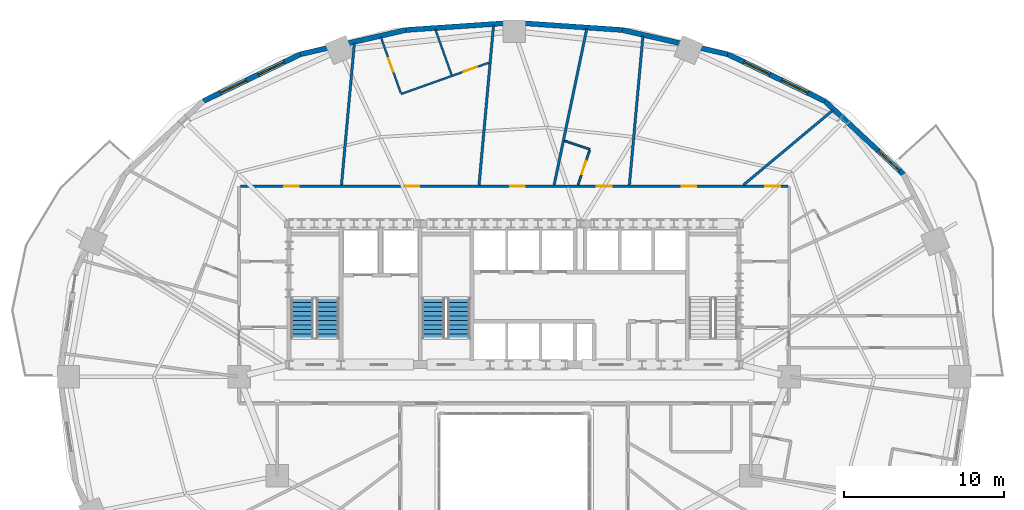
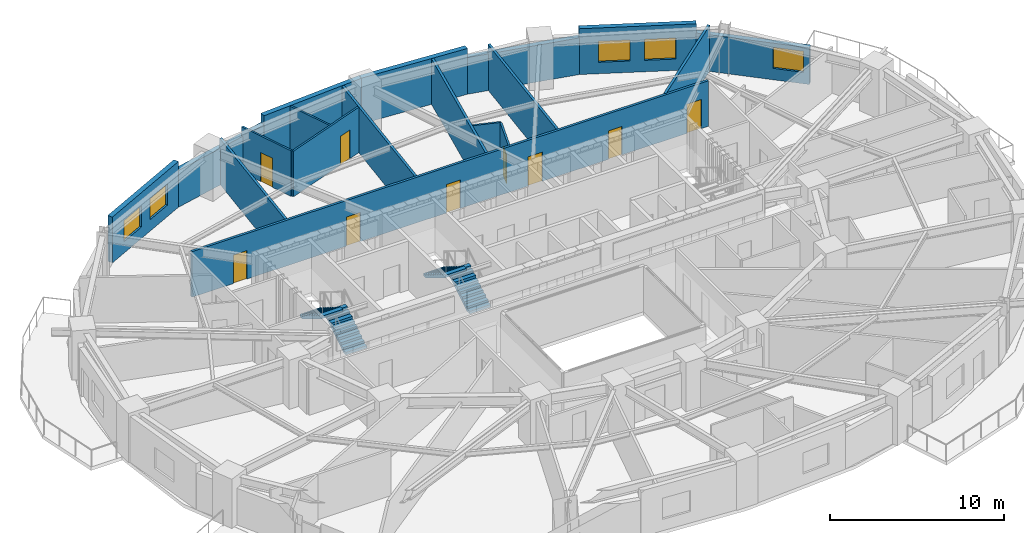
# One storey, part 11 of 16: 18 walls, 9 doors, 5 windows, 4 stair flights, 14 openings, 2 elements without a shape of their own.
"""IFC4 building model written with IfcOpenShell, lengths in metres."""

from ifc_helpers import new_model, si_unit, direction, frame, frame_2d, origin, place, context, subcontext, project, spatial, polyline, rectangle, outline, extrude, material, layer, layer_set, type_object, element, fill, aggregate, save


model = new_model("IFC4")

# Units and contexts
model_context = context("Model", 3, precision=1e-05, world=origin(), true_north=direction((0.0, 1.0)))
body_context = subcontext(model_context, "Body", "Model", "MODEL_VIEW")
ifc_project = project(units=[si_unit("LENGTHUNIT", "METRE"), si_unit("AREAUNIT", "SQUARE_METRE"), si_unit("VOLUMEUNIT", "CUBIC_METRE"), si_unit("PLANEANGLEUNIT", "RADIAN"), si_unit("MASSUNIT", "GRAM", prefix="KILO")], contexts=[model_context])

# Site, building, storey
site_placement = place(None, origin())
site = spatial("IfcSite", under=ifc_project, at=site_placement, CompositionType="ELEMENT")
building_placement = place(site_placement, origin())
building = spatial("IfcBuilding", under=site, at=building_placement, Name="Haldorwick Loom Tower", CompositionType="ELEMENT")
storey_placement = place(building_placement, frame((0.0, 0.0, 88.699951171875)))
storey = spatial("IfcBuildingStorey", under=building, at=storey_placement, Name="L23", CompositionType="ELEMENT", Elevation=88.699951171875)

# Wall, opening, window
ifc_material_1 = material(Name="Pressed Clay Face Brick and Insulated Masonry Backup Assembly", Category="masonry")
ifc_layer_1 = layer(ifc_material_1, 0.320068359375, Name="Pressed Clay Face Brick and Insulated Masonry Backup Assembly", Category="masonry")
ifc_layer_set_1 = layer_set([ifc_layer_1], Name="Pressed Clay Face Brick and Insulated Masonry Backup Assembly")
wall_type_1 = type_object("IfcWallType", Name="ARC-WL-EXT320", PredefinedType="STANDARD", material=ifc_layer_set_1)
wall_1_placement = place(storey_placement, frame((60.338623046875, 38.655517578125, 0.0), z_axis=(0.0, 0.0, 1.0), x_axis=(-0.732137360086, 0.681157020052, 0.0)))
wall_1 = element("IfcWall", 1, at=wall_1_placement, inside=storey, type_object=wall_type_1, Name="L23 Brick Pier and Spandrel Wall 3", PredefinedType="STANDARD", context=body_context, shape_type="SweptSolid", body=[
    extrude(rectangle(XDim=6.709228515625, YDim=0.320068359375, at=frame_2d((3.3544921875, 0.0))), origin(), (0.0, 0.0, 1.0), 2.569091796875),
])
opening_1_placement = place(wall_1_placement, frame((0.340087890625, 0.0, 0.800048828125)))
opening_1 = element("IfcOpeningElement", 2, at=opening_1_placement, cuts=wall_1, Name="Opening W-01", PredefinedType="OPENING", context=body_context, shape_type="SweptSolid", body=[
    extrude(rectangle(XDim=1.800048828125, YDim=1.47998046875, at=frame_2d((0.89990234375, 0.739990234375))), frame((0.0, 0.169921875, 0.0), z_axis=(0.0, -1.0, 0.0), x_axis=(1.0, 0.0, 0.0)), (0.0, 0.0, 1.0), 0.340087890625),
])
ifc_material_2 = material(Name="Triple-Glazed Low-E Argon Insulated Glazing Unit", Category="glass")
window_type = type_object("IfcWindowType", Name="ARC-WIN-W180", PartitioningType="SINGLE_PANEL", PredefinedType="WINDOW", material=ifc_material_2)
window_1_placement = place(opening_1_placement, origin())
window_1 = element("IfcWindow", 3, at=window_1_placement, inside=storey, type_object=window_type, Name="L23 Deep-Set Zone 7A Window 3", OverallHeight=1.47998046875, OverallWidth=1.800048828125, PartitioningType="SINGLE_PANEL", PredefinedType="WINDOW", context=body_context, shape_type="SweptSolid", body=[
    extrude(rectangle(XDim=1.800048828125, YDim=1.47998046875, at=frame_2d((0.89990234375, 0.739990234375))), frame((0.0, 0.030029296875, 0.0), z_axis=(0.0, -1.0, 0.0), x_axis=(1.0, 0.0, 0.0)), (0.0, 0.0, 1.0), 0.06005859375),
])
fill(opening_1, window_1)

# Wall, openings, windows
wall_2_placement = place(storey_placement, frame((55.426513671875, 43.2255859375, 0.0), z_axis=(0.0, 0.0, 1.0), x_axis=(-0.900510094661, 0.434835106004, 0.0)))
wall_2 = element("IfcWall", 4, at=wall_2_placement, inside=storey, type_object=wall_type_1, Name="L23 Brick Pier and Spandrel Wall 4", PredefinedType="STANDARD", context=body_context, shape_type="SweptSolid", body=[
    extrude(rectangle(XDim=6.744873046875, YDim=0.320068359375, at=frame_2d((3.37255859375, 0.0))), origin(), (0.0, 0.0, 1.0), 3.2099609375),
])
opening_2_placement = place(wall_2_placement, frame((1.180908203125, 0.0, 0.800048828125)))
opening_2 = element("IfcOpeningElement", 5, at=opening_2_placement, cuts=wall_2, Name="Opening W-01", PredefinedType="OPENING", context=body_context, shape_type="SweptSolid", body=[
    extrude(rectangle(XDim=1.800048828125, YDim=1.47998046875, at=frame_2d((0.89990234375, 0.739990234375))), frame((0.0, 0.169921875, 0.0), z_axis=(0.0, -1.0, 0.0), x_axis=(1.0, 0.0, 0.0)), (0.0, 0.0, 1.0), 0.340087890625),
])
opening_3_placement = place(wall_2_placement, frame((3.8212890625, 0.0, 0.800048828125)))
opening_3 = element("IfcOpeningElement", 6, at=opening_3_placement, cuts=wall_2, Name="Opening W-01", PredefinedType="OPENING", context=body_context, shape_type="SweptSolid", body=[
    extrude(rectangle(XDim=1.800048828125, YDim=1.47998046875, at=frame_2d((0.89990234375, 0.739990234375))), frame((0.0, 0.169921875, 0.0), z_axis=(0.0, -1.0, 0.0), x_axis=(1.0, 0.0, 0.0)), (0.0, 0.0, 1.0), 0.340087890625),
])
window_2_placement = place(opening_2_placement, origin())
window_2 = element("IfcWindow", 7, at=window_2_placement, inside=storey, type_object=window_type, Name="L23 Deep-Set Zone 7A Window 4", OverallHeight=1.47998046875, OverallWidth=1.800048828125, PartitioningType="SINGLE_PANEL", PredefinedType="WINDOW", context=body_context, shape_type="SweptSolid", body=[
    extrude(rectangle(XDim=1.800048828125, YDim=1.47998046875, at=frame_2d((0.89990234375, 0.739990234375))), frame((0.0, 0.030029296875, 0.0), z_axis=(0.0, -1.0, 0.0), x_axis=(1.0, 0.0, 0.0)), (0.0, 0.0, 1.0), 0.06005859375),
])
fill(opening_2, window_2)
window_3_placement = place(opening_3_placement, origin())
window_3 = element("IfcWindow", 8, at=window_3_placement, inside=storey, type_object=window_type, Name="L23 Deep-Set Zone 7A Window 4", OverallHeight=1.47998046875, OverallWidth=1.800048828125, PartitioningType="SINGLE_PANEL", PredefinedType="WINDOW", context=body_context, shape_type="SweptSolid", body=[
    extrude(rectangle(XDim=1.800048828125, YDim=1.47998046875, at=frame_2d((0.89990234375, 0.739990234375))), frame((0.0, 0.030029296875, 0.0), z_axis=(0.0, -1.0, 0.0), x_axis=(1.0, 0.0, 0.0)), (0.0, 0.0, 1.0), 0.06005859375),
])
fill(opening_3, window_3)

# Walls
wall_3_placement = place(storey_placement, frame((49.352783203125, 46.158447265625, 0.0), z_axis=(0.0, 0.0, 1.0), x_axis=(-0.974584177714, 0.224021607329, 0.0)))
element("IfcWall", 9, at=wall_3_placement, inside=storey, type_object=wall_type_1, Name="L23 Brick Pier and Spandrel Wall 5", PredefinedType="STANDARD", context=body_context, shape_type="SweptSolid", body=[
    extrude(rectangle(XDim=6.767822265625, YDim=0.320068359375, at=frame_2d((3.3837890625, 0.0))), origin(), (0.0, 0.0, 1.0), 2.569091796875),
])
for number, where, z_axis, x_axis, name in (
    (10, (42.757080078125, 47.674560546875, 0.0), (0.0, 0.0, 1.0), (-0.997651949344, 0.068487867318, 0.0), "L23 Brick Pier and Spandrel Wall 6"),
    (11, (36.0, 48.138427734375, 0.0), (0.0, 0.0, 1.0), (-0.997651949344, -0.068487867318, 0.0), "L23 Brick Pier and Spandrel Wall 7"),
):
    element("IfcWall", number, at=place(storey_placement, frame(where, z_axis=z_axis, x_axis=x_axis)), inside=storey, type_object=wall_type_1, Name=name, PredefinedType="STANDARD", context=body_context, shape_type="SweptSolid", body=[
        extrude(rectangle(XDim=6.77294921875, YDim=0.320068359375, at=frame_2d((3.386474609375, 0.0))), origin(), (0.0, 0.0, 1.0), 3.2099609375),
    ])
wall_4_placement = place(storey_placement, frame((29.242919921875, 47.674560546875, 0.0), z_axis=(0.0, 0.0, 1.0), x_axis=(-0.974584177714, -0.224021607329, 0.0)))
element("IfcWall", 12, at=wall_4_placement, inside=storey, type_object=wall_type_1, Name="L23 Brick Pier and Spandrel Wall 8", PredefinedType="STANDARD", context=body_context, shape_type="SweptSolid", body=[
    extrude(rectangle(XDim=6.767822265625, YDim=0.320068359375, at=frame_2d((3.3837890625, 0.0))), origin(), (0.0, 0.0, 1.0), 2.569091796875),
])

# Wall, openings, windows
wall_5_placement = place(storey_placement, frame((22.647216796875, 46.158447265625, 0.0), z_axis=(0.0, 0.0, 1.0), x_axis=(-0.900510094661, -0.434835106004, 0.0)))
wall_5 = element("IfcWall", 13, at=wall_5_placement, inside=storey, type_object=wall_type_1, Name="L23 Brick Pier and Spandrel Wall 9", PredefinedType="STANDARD", context=body_context, shape_type="SweptSolid", body=[
    extrude(rectangle(XDim=6.744873046875, YDim=0.320068359375, at=frame_2d((3.37255859375, 0.0))), origin(), (0.0, 0.0, 1.0), 3.2099609375),
])
opening_4_placement = place(wall_5_placement, frame((1.123291015625, 0.0, 0.800048828125)))
opening_4 = element("IfcOpeningElement", 14, at=opening_4_placement, cuts=wall_5, Name="Opening W-01", PredefinedType="OPENING", context=body_context, shape_type="SweptSolid", body=[
    extrude(rectangle(XDim=1.800048828125, YDim=1.47998046875, at=frame_2d((0.89990234375, 0.739990234375))), frame((0.0, 0.169921875, 0.0), z_axis=(0.0, -1.0, 0.0), x_axis=(1.0, 0.0, 0.0)), (0.0, 0.0, 1.0), 0.340087890625),
])
opening_5_placement = place(wall_5_placement, frame((3.763916015625, 0.0, 0.800048828125)))
opening_5 = element("IfcOpeningElement", 15, at=opening_5_placement, cuts=wall_5, Name="Opening W-01", PredefinedType="OPENING", context=body_context, shape_type="SweptSolid", body=[
    extrude(rectangle(XDim=1.800048828125, YDim=1.47998046875, at=frame_2d((0.89990234375, 0.739990234375))), frame((0.0, 0.169921875, 0.0), z_axis=(0.0, -1.0, 0.0), x_axis=(1.0, 0.0, 0.0)), (0.0, 0.0, 1.0), 0.340087890625),
])
window_4_placement = place(opening_4_placement, origin())
window_4 = element("IfcWindow", 16, at=window_4_placement, inside=storey, type_object=window_type, Name="L23 Deep-Set Zone 7A Window 9", OverallHeight=1.47998046875, OverallWidth=1.800048828125, PartitioningType="SINGLE_PANEL", PredefinedType="WINDOW", context=body_context, shape_type="SweptSolid", body=[
    extrude(rectangle(XDim=1.800048828125, YDim=1.47998046875, at=frame_2d((0.89990234375, 0.739990234375))), frame((0.0, 0.030029296875, 0.0), z_axis=(0.0, -1.0, 0.0), x_axis=(1.0, 0.0, 0.0)), (0.0, 0.0, 1.0), 0.06005859375),
])
fill(opening_4, window_4)
window_5_placement = place(opening_5_placement, origin())
window_5 = element("IfcWindow", 17, at=window_5_placement, inside=storey, type_object=window_type, Name="L23 Deep-Set Zone 7A Window 9", OverallHeight=1.47998046875, OverallWidth=1.800048828125, PartitioningType="SINGLE_PANEL", PredefinedType="WINDOW", context=body_context, shape_type="SweptSolid", body=[
    extrude(rectangle(XDim=1.800048828125, YDim=1.47998046875, at=frame_2d((0.89990234375, 0.739990234375))), frame((0.0, 0.030029296875, 0.0), z_axis=(0.0, -1.0, 0.0), x_axis=(1.0, 0.0, 0.0)), (0.0, 0.0, 1.0), 0.06005859375),
])
fill(opening_5, window_5)

# Wall, openings, doors
ifc_material_3 = material(Name="Fire-Rated Type X Gypsum Stud Assembly EI 60")
ifc_layer_2 = layer(ifc_material_3, 0.159912109375, Name="Fire-Rated Type X Gypsum Stud Assembly EI 60")
ifc_layer_set_2 = layer_set([ifc_layer_2], Name="Fire-Rated Type X Gypsum Stud Assembly EI 60")
wall_type_2 = type_object("IfcWallType", Name="ARC-WL-FIRE160", PredefinedType="PARTITIONING", material=ifc_layer_set_2)
wall_6_placement = place(storey_placement, frame((18.883056640625, 37.89990234375, 0.0), z_axis=(0.0, 0.0, 1.0), x_axis=(1.0, 0.0, 0.0)))
wall_6 = element("IfcWall", 18, at=wall_6_placement, inside=storey, type_object=wall_type_2, Name="L23 Residential Fire Partition L23-CR-N0", PredefinedType="PARTITIONING", context=body_context, shape_type="SweptSolid", body=[
    extrude(rectangle(XDim=34.23388671875, YDim=0.159912109375, at=frame_2d((17.116943359375, 0.0))), origin(), (0.0, 0.0, 1.0), 3.195068359375),
])
opening_6_placement = place(wall_6_placement, frame((10.23681640625, 0.0, 0.0)))
opening_6 = element("IfcOpeningElement", 19, at=opening_6_placement, cuts=wall_6, Name="Opening D-FL95", PredefinedType="OPENING", context=body_context, shape_type="SweptSolid", body=[
    extrude(rectangle(XDim=0.949951171875, YDim=2.0400390625, at=frame_2d((0.47509765625, 1.02001953125))), frame((0.0, 0.08984375, 0.0), z_axis=(0.0, -1.0, 0.0), x_axis=(1.0, 0.0, 0.0)), (0.0, 0.0, 1.0), 0.179931640625),
])
opening_7_placement = place(wall_6_placement, frame((27.599853515625, 0.0, 0.0)))
opening_7 = element("IfcOpeningElement", 20, at=opening_7_placement, cuts=wall_6, Name="Opening D-FD60A", PredefinedType="OPENING", context=body_context, shape_type="SweptSolid", body=[
    extrude(rectangle(XDim=0.89990234375, YDim=2.0, at=frame_2d((0.449951171875, 1.0))), frame((0.0, 0.08984375, 0.0), z_axis=(0.0, -1.0, 0.0), x_axis=(1.0, 0.0, 0.0)), (0.0, 0.0, 1.0), 0.179931640625),
])
opening_8_placement = place(wall_6_placement, frame((2.75244140625, 0.0, 0.0)))
opening_8 = element("IfcOpeningElement", 21, at=opening_8_placement, cuts=wall_6, Name="Opening D-FD60A", PredefinedType="OPENING", context=body_context, shape_type="SweptSolid", body=[
    extrude(rectangle(XDim=0.89990234375, YDim=2.0, at=frame_2d((0.449951171875, 1.0))), frame((0.0, 0.08984375, 0.0), z_axis=(0.0, -1.0, 0.0), x_axis=(1.0, 0.0, 0.0)), (0.0, 0.0, 1.0), 0.179931640625),
])
opening_9_placement = place(wall_6_placement, frame((16.887939453125, 0.0, 0.0)))
opening_9 = element("IfcOpeningElement", 22, at=opening_9_placement, cuts=wall_6, Name="Opening D-FD60A", PredefinedType="OPENING", context=body_context, shape_type="SweptSolid", body=[
    extrude(rectangle(XDim=0.89990234375, YDim=2.0, at=frame_2d((0.449951171875, 1.0))), frame((0.0, 0.08984375, 0.0), z_axis=(0.0, -1.0, 0.0), x_axis=(1.0, 0.0, 0.0)), (0.0, 0.0, 1.0), 0.179931640625),
])
opening_10_placement = place(wall_6_placement, frame((22.27392578125, 0.0, 0.0)))
opening_10 = element("IfcOpeningElement", 23, at=opening_10_placement, cuts=wall_6, Name="Opening D-FL95", PredefinedType="OPENING", context=body_context, shape_type="SweptSolid", body=[
    extrude(rectangle(XDim=0.949951171875, YDim=2.0400390625, at=frame_2d((0.47509765625, 1.02001953125))), frame((0.0, 0.08984375, 0.0), z_axis=(0.0, -1.0, 0.0), x_axis=(1.0, 0.0, 0.0)), (0.0, 0.0, 1.0), 0.179931640625),
])
opening_11_placement = place(wall_6_placement, frame((32.822021484375, 0.0, 0.0)))
opening_11 = element("IfcOpeningElement", 24, at=opening_11_placement, cuts=wall_6, Name="Opening D-FL95", PredefinedType="OPENING", context=body_context, shape_type="SweptSolid", body=[
    extrude(rectangle(XDim=0.949951171875, YDim=2.0400390625, at=frame_2d((0.47509765625, 1.02001953125))), frame((0.0, 0.08984375, 0.0), z_axis=(0.0, -1.0, 0.0), x_axis=(1.0, 0.0, 0.0)), (0.0, 0.0, 1.0), 0.179931640625),
])
ifc_material_4 = material(Name="Hollow Steel Fire Door Assembly", Category="steel")
door_type_1 = type_object("IfcDoorType", Name="ARC-DR-FD60-90", OperationType="NOTDEFINED", PredefinedType="DOOR", material=ifc_material_4)
door_1_placement = place(opening_7_placement, frame((0.89990234375, 0.0, 0.0), z_axis=(0.0, 0.0, 1.0), x_axis=(-1.0, 0.0, 0.0)))
door_1 = element("IfcDoor", 25, at=door_1_placement, inside=storey, type_object=door_type_1, Name="L23 Shared Resident Dining Hall 14 to L23 North Residential Corridor Doo", OperationType="SINGLE_SWING_RIGHT", OverallHeight=2.0, OverallWidth=0.89990234375, PredefinedType="DOOR", context=body_context, shape_type="SweptSolid", body=[
    extrude(rectangle(XDim=0.89990234375, YDim=2.0, at=frame_2d((0.449951171875, 1.0))), frame((0.0, 0.02490234375, 0.0), z_axis=(0.0, -1.0, 0.0), x_axis=(1.0, 0.0, 0.0)), (0.0, 0.0, 1.0), 0.050048828125),
])
fill(opening_7, door_1)
door_2_placement = place(opening_8_placement, frame((0.89990234375, 0.0, 0.0), z_axis=(0.0, 0.0, 1.0), x_axis=(-1.0, 0.0, 0.0)))
door_2 = element("IfcDoor", 26, at=door_2_placement, inside=storey, type_object=door_type_1, Name="L23 Shared Resident Dining Hall 3 to L23 North Residential Corridor Door", OperationType="SINGLE_SWING_LEFT", OverallHeight=2.0, OverallWidth=0.89990234375, PredefinedType="DOOR", context=body_context, shape_type="SweptSolid", body=[
    extrude(rectangle(XDim=0.89990234375, YDim=2.0, at=frame_2d((0.449951171875, 1.0))), frame((0.0, 0.02490234375, 0.0), z_axis=(0.0, -1.0, 0.0), x_axis=(1.0, 0.0, 0.0)), (0.0, 0.0, 1.0), 0.050048828125),
])
fill(opening_8, door_2)
door_3_placement = place(opening_9_placement, frame((0.89990234375, 0.0, 0.0), z_axis=(0.0, 0.0, 1.0), x_axis=(-1.0, 0.0, 0.0)))
door_3 = element("IfcDoor", 27, at=door_3_placement, inside=storey, type_object=door_type_1, Name="L23 Shared Resident Dining Hall 7 to L23 North Residential Corridor Door", OperationType="SINGLE_SWING_LEFT", OverallHeight=2.0, OverallWidth=0.89990234375, PredefinedType="DOOR", context=body_context, shape_type="SweptSolid", body=[
    extrude(rectangle(XDim=0.89990234375, YDim=2.0, at=frame_2d((0.449951171875, 1.0))), frame((0.0, 0.02490234375, 0.0), z_axis=(0.0, -1.0, 0.0), x_axis=(1.0, 0.0, 0.0)), (0.0, 0.0, 1.0), 0.050048828125),
])
fill(opening_9, door_3)
ifc_material_5 = material(Name="Solid Core Birch Architectural Door")
door_type_2 = type_object("IfcDoorType", Name="ARC-DR-FLAT95", OperationType="NOTDEFINED", PredefinedType="DOOR", material=ifc_material_5)
door_4_placement = place(opening_6_placement, frame((0.949951171875, 0.0, 0.0), z_axis=(0.0, 0.0, 1.0), x_axis=(-1.0, 0.0, 0.0)))
door_4 = element("IfcDoor", 28, at=door_4_placement, inside=storey, type_object=door_type_2, Name="L23 Unit 23E Kitchen and Living Room to L23 North Residential Corridor D", OperationType="SINGLE_SWING_LEFT", OverallHeight=2.0400390625, OverallWidth=0.949951171875, PredefinedType="DOOR", context=body_context, shape_type="SweptSolid", body=[
    extrude(rectangle(XDim=0.949951171875, YDim=2.0400390625, at=frame_2d((0.47509765625, 1.02001953125))), frame((0.0, 0.02490234375, 0.0), z_axis=(0.0, -1.0, 0.0), x_axis=(1.0, 0.0, 0.0)), (0.0, 0.0, 1.0), 0.050048828125),
])
fill(opening_6, door_4)
door_5_placement = place(opening_10_placement, frame((0.949951171875, 0.0, 0.0), z_axis=(0.0, 0.0, 1.0), x_axis=(-1.0, 0.0, 0.0)))
door_5 = element("IfcDoor", 29, at=door_5_placement, inside=storey, type_object=door_type_2, Name="L23 Unit 23F Kitchen and Studio Living Room to L23 North Residential Cor", OperationType="SINGLE_SWING_LEFT", OverallHeight=2.0400390625, OverallWidth=0.949951171875, PredefinedType="DOOR", context=body_context, shape_type="SweptSolid", body=[
    extrude(rectangle(XDim=0.949951171875, YDim=2.0400390625, at=frame_2d((0.47509765625, 1.02001953125))), frame((0.0, 0.02490234375, 0.0), z_axis=(0.0, -1.0, 0.0), x_axis=(1.0, 0.0, 0.0)), (0.0, 0.0, 1.0), 0.050048828125),
])
fill(opening_10, door_5)
door_6_placement = place(opening_11_placement, frame((0.949951171875, 0.0, 0.0), z_axis=(0.0, 0.0, 1.0), x_axis=(-1.0, 0.0, 0.0)))
door_6 = element("IfcDoor", 30, at=door_6_placement, inside=storey, type_object=door_type_2, Name="L23 Unit 23M Kitchen and Studio Living Room to L23 North Residential Cor", OperationType="SINGLE_SWING_LEFT", OverallHeight=2.0400390625, OverallWidth=0.949951171875, PredefinedType="DOOR", context=body_context, shape_type="SweptSolid", body=[
    extrude(rectangle(XDim=0.949951171875, YDim=2.0400390625, at=frame_2d((0.47509765625, 1.02001953125))), frame((0.0, 0.02490234375, 0.0), z_axis=(0.0, -1.0, 0.0), x_axis=(1.0, 0.0, 0.0)), (0.0, 0.0, 1.0), 0.050048828125),
])
fill(opening_11, door_6)

# Walls
wall_7_placement = place(storey_placement, frame((25.20751953125, 37.98291015625, 0.0), z_axis=(0.0, 0.0, 1.0), x_axis=(0.090491322793, 0.995897243946, 0.0)))
element("IfcWall", 31, at=wall_7_placement, inside=storey, type_object=wall_type_2, Name="L23 Residential Fire Partition L23-UPN-13", PredefinedType="PARTITIONING", context=body_context, shape_type="SweptSolid", body=[
    extrude(rectangle(XDim=8.91943359375, YDim=0.159912109375, at=frame_2d((4.459716796875, 0.0))), origin(), (0.0, 0.0, 1.0), 3.195068359375),
])
wall_8_placement = place(storey_placement, frame((33.8076171875, 37.98291015625, 0.0), z_axis=(0.0, 0.0, 1.0), x_axis=(0.090476568416, 0.995898584479, 0.0)))
element("IfcWall", 32, at=wall_8_placement, inside=storey, type_object=wall_type_2, Name="L23 Residential Fire Partition L23-UPN-14", PredefinedType="PARTITIONING", context=body_context, shape_type="SweptSolid", body=[
    extrude(rectangle(XDim=10.04345703125, YDim=0.159912109375, at=frame_2d((5.021728515625, 0.0))), origin(), (0.0, 0.0, 1.0), 3.195068359375),
])
wall_9_placement = place(storey_placement, frame((43.20751953125, 37.98291015625, 0.0), z_axis=(0.0, 0.0, 1.0), x_axis=(0.090486385292, 0.995897692575, 0.0)))
element("IfcWall", 33, at=wall_9_placement, inside=storey, type_object=wall_type_2, Name="L23 Residential Fire Partition L23-UPN-15", PredefinedType="PARTITIONING", context=body_context, shape_type="SweptSolid", body=[
    extrude(rectangle(XDim=9.364990234375, YDim=0.159912109375, at=frame_2d((4.6826171875, 0.0))), origin(), (0.0, 0.0, 1.0), 3.195068359375),
])
wall_10_placement = place(storey_placement, frame((38.503173828125, 37.98291015625, 0.0), z_axis=(0.0, 0.0, 1.0), x_axis=(0.204489055978, 0.978868850248, 0.0)))
element("IfcWall", 34, at=wall_10_placement, inside=storey, type_object=wall_type_2, Name="L23 Suite Split Wall", PredefinedType="PARTITIONING", context=body_context, shape_type="SweptSolid", body=[
    extrude(rectangle(XDim=9.989501953125, YDim=0.159912109375, at=frame_2d((4.99462890625, 0.0))), origin(), (0.0, 0.0, 1.0), 3.195068359375),
])
wall_11_placement = place(storey_placement, frame((50.3369140625, 37.98291015625, 0.0), z_axis=(0.0, 0.0, 1.0), x_axis=(0.767277099494, 0.641315719901, 0.0)))
element("IfcWall", 35, at=wall_11_placement, inside=storey, type_object=wall_type_2, Name="L23 Suite Split Wall", PredefinedType="PARTITIONING", context=body_context, shape_type="SweptSolid", body=[
    extrude(rectangle(XDim=7.29736328125, YDim=0.159912109375, at=frame_2d((3.648681640625, 0.0))), origin(), (0.0, 0.0, 1.0), 3.195068359375),
])

# Wall, opening, door
ifc_material_6 = material(Name="Acoustic Gypsum Stud Assembly STC 55")
ifc_layer_3 = layer(ifc_material_6, 0.1201171875, Name="Acoustic Gypsum Stud Assembly STC 55")
ifc_layer_set_3 = layer_set([ifc_layer_3], Name="Acoustic Gypsum Stud Assembly STC 55")
wall_type_3 = type_object("IfcWallType", Name="ARC-WL-PART120", PredefinedType="PARTITIONING", material=ifc_layer_set_3)
wall_12_placement = place(storey_placement, frame((34.418701171875, 45.626708984375, 0.0), z_axis=(0.0, 0.0, 1.0), x_axis=(-0.941850077661, -0.336033378118, 0.0)))
wall_12 = element("IfcWall", 36, at=wall_12_placement, inside=storey, type_object=wall_type_3, Name="L23 Unit 23E Interior Partition", PredefinedType="PARTITIONING", context=body_context, shape_type="SweptSolid", body=[
    extrude(rectangle(XDim=5.81884765625, YDim=0.1201171875, at=frame_2d((2.909423828125, 0.0))), origin(), (0.0, 0.0, 1.0), 3.195068359375),
])
opening_12_placement = place(wall_12_placement, frame((0.791015625, 0.0, 0.0)))
opening_12 = element("IfcOpeningElement", 37, at=opening_12_placement, cuts=wall_12, Name="Opening D-BT88", PredefinedType="OPENING", context=body_context, shape_type="SweptSolid", body=[
    extrude(rectangle(XDim=0.8798828125, YDim=2.02001953125, at=frame_2d((0.43994140625, 1.010009765625))), frame((0.0, 0.070068359375, 0.0), z_axis=(0.0, -1.0, 0.0), x_axis=(1.0, 0.0, 0.0)), (0.0, 0.0, 1.0), 0.14013671875),
])
door_type_3 = type_object("IfcDoorType", Name="ARC-DR-BATH88", OperationType="NOTDEFINED", PredefinedType="DOOR", material=ifc_material_5)
door_7_placement = place(opening_12_placement, origin())
door_7 = element("IfcDoor", 38, at=door_7_placement, inside=storey, type_object=door_type_3, Name="L23 Unit 23E Kitchen and Living Room to Unit 23E Bathroom Door", OperationType="SINGLE_SWING_RIGHT", OverallHeight=2.02001953125, OverallWidth=0.8798828125, PredefinedType="DOOR", context=body_context, shape_type="SweptSolid", body=[
    extrude(rectangle(XDim=0.8798828125, YDim=2.02001953125, at=frame_2d((0.43994140625, 1.010009765625))), frame((0.0, 0.02490234375, 0.0), z_axis=(0.0, -1.0, 0.0), x_axis=(1.0, 0.0, 0.0)), (0.0, 0.0, 1.0), 0.050048828125),
])
fill(opening_12, door_7)

wall_13_placement = place(storey_placement, frame((28.9169921875, 43.730712890625, 0.0), z_axis=(0.0, 0.0, 1.0), x_axis=(-0.336004763766, 0.941860286203, 0.0)))
wall_13 = element("IfcWall", 39, at=wall_13_placement, inside=storey, type_object=wall_type_3, Name="L23 Unit 23E Interior Partition", PredefinedType="PARTITIONING", context=body_context, shape_type="SweptSolid", body=[
    extrude(rectangle(XDim=3.731201171875, YDim=0.1201171875, at=frame_2d((1.86572265625, 0.0))), origin(), (0.0, 0.0, 1.0), 3.195068359375),
])
opening_13_placement = place(wall_13_placement, frame((1.41552734375, 0.0, 0.0)))
opening_13 = element("IfcOpeningElement", 40, at=opening_13_placement, cuts=wall_13, Name="Opening D-IN90", PredefinedType="OPENING", context=body_context, shape_type="SweptSolid", body=[
    extrude(rectangle(XDim=0.89990234375, YDim=2.0400390625, at=frame_2d((0.449951171875, 1.02001953125))), frame((0.0, 0.070068359375, 0.0), z_axis=(0.0, -1.0, 0.0), x_axis=(1.0, 0.0, 0.0)), (0.0, 0.0, 1.0), 0.14013671875),
])
door_type_4 = type_object("IfcDoorType", Name="ARC-DR-INT90", OperationType="NOTDEFINED", PredefinedType="DOOR", material=ifc_material_5)
door_8_placement = place(opening_13_placement, origin())
door_8 = element("IfcDoor", 41, at=door_8_placement, inside=storey, type_object=door_type_4, Name="L23 Unit 23E Kitchen and Living Room to Unit 23E Bedroom 1 Door", OperationType="SINGLE_SWING_LEFT", OverallHeight=2.0400390625, OverallWidth=0.89990234375, PredefinedType="DOOR", context=body_context, shape_type="SweptSolid", body=[
    extrude(rectangle(XDim=0.89990234375, YDim=2.0400390625, at=frame_2d((0.449951171875, 1.02001953125))), frame((0.0, 0.02490234375, 0.0), z_axis=(0.0, -1.0, 0.0), x_axis=(1.0, 0.0, 0.0)), (0.0, 0.0, 1.0), 0.050048828125),
])
fill(opening_13, door_8)

# Walls
wall_14_placement = place(storey_placement, frame((32.09130859375, 44.86328125, 0.0), z_axis=(0.0, 0.0, 1.0), x_axis=(-0.336026919077, 0.941852382094, 0.0)))
element("IfcWall", 42, at=wall_14_placement, inside=storey, type_object=wall_type_3, Name="L23 Unit 23E Interior Partition", PredefinedType="PARTITIONING", context=body_context, shape_type="SweptSolid", body=[
    extrude(rectangle(XDim=3.048583984375, YDim=0.1201171875, at=frame_2d((1.5244140625, 0.0))), origin(), (0.0, 0.0, 1.0), 3.195068359375),
])
wall_15_placement = place(storey_placement, frame((40.740234375, 40.21533203125, 0.0), z_axis=(0.0, 0.0, 1.0), x_axis=(-0.948403770047, 0.317065117856, 0.0)))
element("IfcWall", 43, at=wall_15_placement, inside=storey, type_object=wall_type_3, Name="L23 Unit 23F Interior Partition", PredefinedType="PARTITIONING", context=body_context, shape_type="SweptSolid", body=[
    extrude(rectangle(XDim=1.66162109375, YDim=0.1201171875, at=frame_2d((0.830810546875, 0.0))), origin(), (0.0, 0.0, 1.0), 3.195068359375),
])

# Wall, opening, door
wall_16_placement = place(storey_placement, frame((39.994140625, 37.98291015625, 0.0), z_axis=(0.0, 0.0, 1.0), x_axis=(0.316963059411, 0.948437883558, 0.0)))
wall_16 = element("IfcWall", 44, at=wall_16_placement, inside=storey, type_object=wall_type_3, Name="L23 Unit 23F Interior Partition", PredefinedType="PARTITIONING", context=body_context, shape_type="SweptSolid", body=[
    extrude(rectangle(XDim=2.290771484375, YDim=0.1201171875, at=frame_2d((1.1455078125, 0.0))), origin(), (0.0, 0.0, 1.0), 3.195068359375),
])
opening_14_placement = place(wall_16_placement, frame((0.705322265625, 0.0, 0.0)))
opening_14 = element("IfcOpeningElement", 45, at=opening_14_placement, cuts=wall_16, Name="Opening D-BT88", PredefinedType="OPENING", context=body_context, shape_type="SweptSolid", body=[
    extrude(rectangle(XDim=0.8798828125, YDim=2.02001953125, at=frame_2d((0.43994140625, 1.010009765625))), frame((0.0, 0.070068359375, 0.0), z_axis=(0.0, -1.0, 0.0), x_axis=(1.0, 0.0, 0.0)), (0.0, 0.0, 1.0), 0.14013671875),
])
door_9_placement = place(opening_14_placement, origin())
door_9 = element("IfcDoor", 46, at=door_9_placement, inside=storey, type_object=door_type_3, Name="L23 Unit 23F Bathroom to Unit 23F Kitchen and Studio Living Room Door", OperationType="SINGLE_SWING_LEFT", OverallHeight=2.02001953125, OverallWidth=0.8798828125, PredefinedType="DOOR", context=body_context, shape_type="SweptSolid", body=[
    extrude(rectangle(XDim=0.8798828125, YDim=2.02001953125, at=frame_2d((0.43994140625, 1.010009765625))), frame((0.0, 0.02490234375, 0.0), z_axis=(0.0, -1.0, 0.0), x_axis=(1.0, 0.0, 0.0)), (0.0, 0.0, 1.0), 0.050048828125),
])
fill(opening_14, door_9)

# Stair, stair flights
ifc_material_7 = material(Name="Concrete C40 (40 MPa)", Category="concrete")
stair_type = type_object("IfcStairType", Name="STR-STR-CORE", PredefinedType="HALF_TURN_STAIR", material=ifc_material_7)
stair_1_placement = place(storey_placement, origin())
stair_1 = element("IfcStair", 47, at=stair_1_placement, inside=storey, type_object=stair_type, Name="L23 Exit Stair ST-01", PredefinedType="HALF_TURN_STAIR")
stair_flight_type = type_object("IfcStairFlightType", Name="STR-STF-1250", PredefinedType="STRAIGHT", material=ifc_material_7)
stair_flight_1_placement = place(storey_placement, frame((24.35009765625, 28.39990234375, 0.0), z_axis=(0.0, 0.0, 1.0), x_axis=(0.0, 1.0, 0.0)))
stair_flight_1 = element("IfcStairFlight", 48, at=stair_flight_1_placement, type_object=stair_flight_type, Name="ST-01 flight 1", NumberOfRisers=10, NumberOfTreads=9, PredefinedType="STRAIGHT", RiserHeight=0.1725, TreadLength=0.28, context=body_context, shape_type="SweptSolid", body=[
    extrude(outline(polyline([(0.0, 0.0), (0.0, 0.172607421875), (0.280029296875, 0.172607421875), (0.280029296875, 0.344970703125), (0.56005859375, 0.344970703125), (0.56005859375, 0.517578125), (0.840087890625, 0.517578125), (0.840087890625, 0.68994140625), (1.1201171875, 0.68994140625), (1.1201171875, 0.862548828125), (1.39990234375, 0.862548828125), (1.39990234375, 1.034912109375), (1.679931640625, 1.034912109375), (1.679931640625, 1.20751953125), (1.9599609375, 1.20751953125), (1.9599609375, 1.3798828125), (2.239990234375, 1.3798828125), (2.239990234375, 1.552490234375), (2.52001953125, 1.552490234375), (2.52001953125, 1.72509765625), (2.52001953125, 1.37646484375), (0.285888671875, 0.0), (0.0, 0.0)])), frame((0.0, 0.699951171875, 0.0), z_axis=(0.0, -1.0, 0.0), x_axis=(1.0, 0.0, 0.0)), (0.0, 0.0, 1.0), 1.39990234375),
])
stair_flight_2_placement = place(storey_placement, frame((22.75, 30.919921875, 1.72509765625), z_axis=(0.0, 0.0, 1.0), x_axis=(0.0, -1.0, 0.0)))
stair_flight_2 = element("IfcStairFlight", 49, at=stair_flight_2_placement, type_object=stair_flight_type, Name="ST-01 flight 2", NumberOfRisers=10, NumberOfTreads=9, PredefinedType="STRAIGHT", RiserHeight=0.1725, TreadLength=0.28, context=body_context, shape_type="SweptSolid", body=[
    extrude(outline(polyline([(0.0, 0.0), (0.0, 0.172607421875), (0.280029296875, 0.172607421875), (0.280029296875, 0.344970703125), (0.56005859375, 0.344970703125), (0.56005859375, 0.517578125), (0.840087890625, 0.517578125), (0.840087890625, 0.68994140625), (1.1201171875, 0.68994140625), (1.1201171875, 0.862548828125), (1.39990234375, 0.862548828125), (1.39990234375, 1.034912109375), (1.679931640625, 1.034912109375), (1.679931640625, 1.20751953125), (1.9599609375, 1.20751953125), (1.9599609375, 1.3798828125), (2.239990234375, 1.3798828125), (2.239990234375, 1.552490234375), (2.52001953125, 1.552490234375), (2.52001953125, 1.72509765625), (2.52001953125, 1.37646484375), (0.285888671875, 0.0), (0.0, 0.0)])), frame((0.0, 0.699951171875, 0.0), z_axis=(0.0, -1.0, 0.0), x_axis=(1.0, 0.0, 0.0)), (0.0, 0.0, 1.0), 1.39990234375),
])
aggregate(stair_1, [stair_flight_1, stair_flight_2])

stair_2_placement = place(storey_placement, origin())
stair_2 = element("IfcStair", 50, at=stair_2_placement, inside=storey, type_object=stair_type, Name="L23 Exit Stair ST-03", PredefinedType="HALF_TURN_STAIR")
stair_flight_3_placement = place(storey_placement, frame((32.550048828125, 28.39990234375, 0.0), z_axis=(0.0, 0.0, 1.0), x_axis=(0.0, 1.0, 0.0)))
stair_flight_3 = element("IfcStairFlight", 51, at=stair_flight_3_placement, type_object=stair_flight_type, Name="ST-03 flight 1", NumberOfRisers=10, NumberOfTreads=9, PredefinedType="STRAIGHT", RiserHeight=0.1725, TreadLength=0.28, context=body_context, shape_type="SweptSolid", body=[
    extrude(outline(polyline([(0.0, 0.0), (0.0, 0.172607421875), (0.280029296875, 0.172607421875), (0.280029296875, 0.344970703125), (0.56005859375, 0.344970703125), (0.56005859375, 0.517578125), (0.840087890625, 0.517578125), (0.840087890625, 0.68994140625), (1.1201171875, 0.68994140625), (1.1201171875, 0.862548828125), (1.39990234375, 0.862548828125), (1.39990234375, 1.034912109375), (1.679931640625, 1.034912109375), (1.679931640625, 1.20751953125), (1.9599609375, 1.20751953125), (1.9599609375, 1.3798828125), (2.239990234375, 1.3798828125), (2.239990234375, 1.552490234375), (2.52001953125, 1.552490234375), (2.52001953125, 1.72509765625), (2.52001953125, 1.37646484375), (0.285888671875, 0.0), (0.0, 0.0)])), frame((0.0, 0.699951171875, 0.0), z_axis=(0.0, -1.0, 0.0), x_axis=(1.0, 0.0, 0.0)), (0.0, 0.0, 1.0), 1.39990234375),
])
stair_flight_4_placement = place(storey_placement, frame((30.949951171875, 30.919921875, 1.72509765625), z_axis=(0.0, 0.0, 1.0), x_axis=(0.0, -1.0, 0.0)))
stair_flight_4 = element("IfcStairFlight", 52, at=stair_flight_4_placement, type_object=stair_flight_type, Name="ST-03 flight 2", NumberOfRisers=10, NumberOfTreads=9, PredefinedType="STRAIGHT", RiserHeight=0.1725, TreadLength=0.28, context=body_context, shape_type="SweptSolid", body=[
    extrude(outline(polyline([(0.0, 0.0), (0.0, 0.172607421875), (0.280029296875, 0.172607421875), (0.280029296875, 0.344970703125), (0.56005859375, 0.344970703125), (0.56005859375, 0.517578125), (0.840087890625, 0.517578125), (0.840087890625, 0.68994140625), (1.1201171875, 0.68994140625), (1.1201171875, 0.862548828125), (1.39990234375, 0.862548828125), (1.39990234375, 1.034912109375), (1.679931640625, 1.034912109375), (1.679931640625, 1.20751953125), (1.9599609375, 1.20751953125), (1.9599609375, 1.3798828125), (2.239990234375, 1.3798828125), (2.239990234375, 1.552490234375), (2.52001953125, 1.552490234375), (2.52001953125, 1.72509765625), (2.52001953125, 1.37646484375), (0.285888671875, 0.0), (0.0, 0.0)])), frame((0.0, 0.699951171875, 0.0), z_axis=(0.0, -1.0, 0.0), x_axis=(1.0, 0.0, 0.0)), (0.0, 0.0, 1.0), 1.39990234375),
])
aggregate(stair_2, [stair_flight_3, stair_flight_4])

save(model, "model.ifc")
